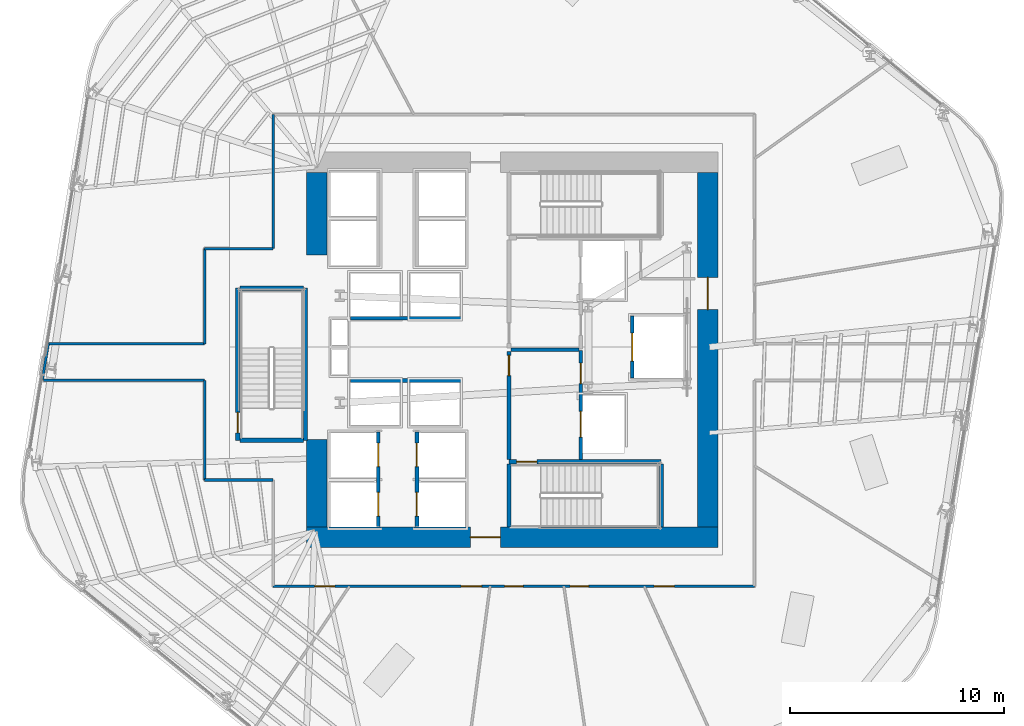
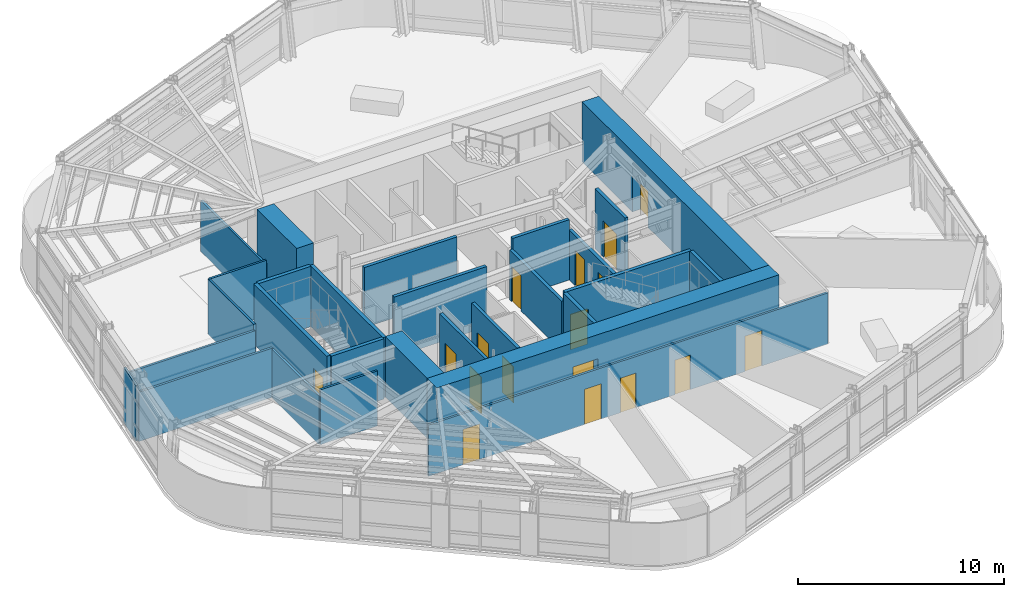
# One storey, part 9 of 18: 28 walls, 17 doors, 17 openings.
"""IFC4 building model written with IfcOpenShell, lengths in metres."""

from ifc_helpers import new_model, si_unit, direction, frame, frame_2d, origin, place, context, subcontext, project, spatial, rectangle, extrude, material, layer, layer_set, type_object, element, fill, save


model = new_model("IFC4")

# Units and contexts
model_context = context("Model", 3, precision=1e-05, world=origin(), true_north=direction((0.0, 1.0)))
body_context = subcontext(model_context, "Body", "Model", "MODEL_VIEW")
ifc_project = project(units=[si_unit("LENGTHUNIT", "METRE"), si_unit("AREAUNIT", "SQUARE_METRE"), si_unit("VOLUMEUNIT", "CUBIC_METRE"), si_unit("PLANEANGLEUNIT", "RADIAN"), si_unit("MASSUNIT", "GRAM", prefix="KILO")], contexts=[model_context])

# Site, building, storey
site_placement = place(None, origin())
site = spatial("IfcSite", under=ifc_project, at=site_placement, CompositionType="ELEMENT")
building_placement = place(site_placement, origin())
building = spatial("IfcBuilding", under=site, at=building_placement, Name="Valkerne Bourse Tower", CompositionType="ELEMENT")
storey_placement = place(building_placement, frame((0.0, 0.0, 112.39990234375)))
storey = spatial("IfcBuildingStorey", under=building, at=storey_placement, Name="L28", CompositionType="ELEMENT", Elevation=112.39990234375)

# Wall, opening, door
ifc_material_1 = material(Name="Concrete C70/85", Category="concrete")
ifc_layer_1 = layer(ifc_material_1, 0.949951171875)
ifc_layer_set_1 = layer_set([ifc_layer_1], Name="Concrete C70/85")
wall_type_1 = type_object("IfcWallType", Name="W-CORE-950", PredefinedType="SHEAR", material=ifc_layer_set_1)
wall_1_placement = place(storey_placement, frame((37.199951171875, 18.125, 0.0), z_axis=(0.0, 0.0, 1.0), x_axis=(1.0, 0.0, 0.0)))
wall_1 = element("IfcWall", 1, at=wall_1_placement, inside=storey, type_object=wall_type_1, Name="L28 Core Shear Wall SOUTH", PredefinedType="SHEAR", context=body_context, shape_type="SweptSolid", body=[
    extrude(rectangle(XDim=19.199951171875, YDim=0.949951171875, at=frame_2d((9.60009765625, 0.0))), origin(), (0.0, 0.0, 1.0), 3.580078125),
])
opening_1_placement = place(wall_1_placement, frame((7.64990234375, 0.0, 0.0)))
opening_1 = element("IfcOpeningElement", 2, at=opening_1_placement, cuts=wall_1, Name="Opening D-PL-1400", PredefinedType="OPENING", context=body_context, shape_type="SweptSolid", body=[
    extrude(rectangle(XDim=1.39990234375, YDim=2.14990234375, at=frame_2d((0.699951171875, 1.074951171875))), frame((0.0, 0.48486328125, 0.0), z_axis=(0.0, -1.0, 0.0), x_axis=(1.0, 0.0, 0.0)), (0.0, 0.0, 1.0), 0.969970703125),
])
ifc_material_2 = material(Name="Galvanised Painted Steel", Category="steel")
door_type_1 = type_object("IfcDoorType", Name="DR-PLT-1400", OperationType="DOUBLE_DOOR_SINGLE_SWING", PredefinedType="DOOR", material=ifc_material_2)
door_1_placement = place(opening_1_placement, origin())
door_1 = element("IfcDoor", 3, at=door_1_placement, inside=storey, type_object=door_type_1, Name="L28 South Passenger Lift Hall Fire Door", OperationType="DOUBLE_DOOR_SINGLE_SWING", OverallHeight=2.14990234375, OverallWidth=1.39990234375, PredefinedType="DOOR", context=body_context, shape_type="SweptSolid", body=[
    extrude(rectangle(XDim=1.39990234375, YDim=2.14990234375, at=frame_2d((0.699951171875, 1.074951171875))), frame((0.0, 0.02490234375, 0.0), z_axis=(0.0, -1.0, 0.0), x_axis=(1.0, 0.0, 0.0)), (0.0, 0.0, 1.0), 0.050048828125),
])
fill(opening_1, door_1)

wall_2_placement = place(storey_placement, frame((55.925048828125, 18.60009765625, 0.0), z_axis=(0.0, 0.0, 1.0), x_axis=(0.0, 1.0, 0.0)))
wall_2 = element("IfcWall", 4, at=wall_2_placement, inside=storey, type_object=wall_type_1, Name="L28 Core Shear Wall EAST", PredefinedType="SHEAR", context=body_context, shape_type="SweptSolid", body=[
    extrude(rectangle(XDim=16.5498046875, YDim=0.949951171875, at=frame_2d((8.27490234375, 0.0))), origin(), (0.0, 0.0, 1.0), 3.580078125),
])
opening_2_placement = place(wall_2_placement, frame((10.14990234375, 0.0, 0.0)))
opening_2 = element("IfcOpeningElement", 5, at=opening_2_placement, cuts=wall_2, Name="Opening D-CR-1500", PredefinedType="OPENING", context=body_context, shape_type="SweptSolid", body=[
    extrude(rectangle(XDim=1.5, YDim=2.14990234375, at=frame_2d((0.75, 1.074951171875))), frame((0.0, 0.48486328125, 0.0), z_axis=(0.0, -1.0, 0.0), x_axis=(1.0, 0.0, 0.0)), (0.0, 0.0, 1.0), 0.969970703125),
])
door_type_2 = type_object("IfcDoorType", Name="DR-CORR-1500", OperationType="DOUBLE_DOOR_SINGLE_SWING", PredefinedType="DOOR", material=ifc_material_2)
door_2_placement = place(opening_2_placement, origin())
door_2 = element("IfcDoor", 6, at=door_2_placement, inside=storey, type_object=door_type_2, Name="L28 East Core Service Lobby Fire Door", OperationType="DOUBLE_DOOR_SINGLE_SWING", OverallHeight=2.14990234375, OverallWidth=1.5, PredefinedType="DOOR", context=body_context, shape_type="SweptSolid", body=[
    extrude(rectangle(XDim=1.5, YDim=2.14990234375, at=frame_2d((0.75, 1.074951171875))), frame((0.0, 0.02490234375, 0.0), z_axis=(0.0, -1.0, 0.0), x_axis=(1.0, 0.0, 0.0)), (0.0, 0.0, 1.0), 0.050048828125),
])
fill(opening_2, door_2)

# Walls
wall_3_placement = place(storey_placement, frame((37.675048828125, 18.60009765625, 0.0), z_axis=(0.0, 0.0, 1.0), x_axis=(0.0, 1.0, 0.0)))
element("IfcWall", 7, at=wall_3_placement, inside=storey, type_object=wall_type_1, Name="L28 Core Shear Wall WEST-S", PredefinedType="SHEAR", context=body_context, shape_type="SweptSolid", body=[
    extrude(rectangle(XDim=4.099853515625, YDim=0.949951171875, at=frame_2d((2.0498046875, 0.0))), origin(), (0.0, 0.0, 1.0), 3.580078125),
])
wall_4_placement = place(storey_placement, frame((37.675048828125, 31.300048828125, 0.0), z_axis=(0.0, 0.0, 1.0), x_axis=(0.0, 1.0, 0.0)))
element("IfcWall", 8, at=wall_4_placement, inside=storey, type_object=wall_type_1, Name="L28 Core Shear Wall WEST-N", PredefinedType="SHEAR", context=body_context, shape_type="SweptSolid", body=[
    extrude(rectangle(XDim=3.849853515625, YDim=0.949951171875, at=frame_2d((1.9248046875, 0.0))), origin(), (0.0, 0.0, 1.0), 3.580078125),
])

# Wall, openings, doors
ifc_material_3 = material(Name="Gypsum Board Steel-Stud Partition", Category="steel")
ifc_layer_2 = layer(ifc_material_3, 0.117919921875)
ifc_layer_set_2 = layer_set([ifc_layer_2], Name="Gypsum Board Steel-Stud Partition")
wall_type_2 = type_object("IfcWallType", Name="W-CORR-140", PredefinedType="PARTITIONING", material=ifc_layer_set_2)
wall_5_placement = place(storey_placement, frame((58.10009765625, 15.85009765625, 0.0), z_axis=(0.0, 0.0, 1.0), x_axis=(-1.0, 0.0, 0.0)))
wall_5 = element("IfcWall", 9, at=wall_5_placement, inside=storey, type_object=wall_type_2, Name="L28 Corridor Enclosure Wall", PredefinedType="PARTITIONING", context=body_context, shape_type="SweptSolid", body=[
    extrude(rectangle(XDim=22.4501953125, YDim=0.117919921875, at=frame_2d((11.22509765625, 0.0))), origin(), (0.0, 0.0, 1.0), 3.03662109375),
])
opening_3_placement = place(wall_5_placement, frame((7.735107421875, 0.0, 0.0)))
opening_3 = element("IfcOpeningElement", 10, at=opening_3_placement, cuts=wall_5, Name="Opening D-WC-900", PredefinedType="OPENING", context=body_context, shape_type="SweptSolid", body=[
    extrude(rectangle(XDim=0.860107421875, YDim=2.050048828125, at=frame_2d((0.43017578125, 1.02490234375))), frame((0.0, 0.06884765625, 0.0), z_axis=(0.0, -1.0, 0.0), x_axis=(1.0, 0.0, 0.0)), (0.0, 0.0, 1.0), 0.137939453125),
])
opening_4_placement = place(wall_5_placement, frame((10.794921875, 0.0, 0.0)))
opening_4 = element("IfcOpeningElement", 11, at=opening_4_placement, cuts=wall_5, Name="Opening D-WC-900", PredefinedType="OPENING", context=body_context, shape_type="SweptSolid", body=[
    extrude(rectangle(XDim=0.860107421875, YDim=2.050048828125, at=frame_2d((0.43017578125, 1.02490234375))), frame((0.0, 0.06884765625, 0.0), z_axis=(0.0, -1.0, 0.0), x_axis=(1.0, 0.0, 0.0)), (0.0, 0.0, 1.0), 0.137939453125),
])
opening_5_placement = place(wall_5_placement, frame((12.72998046875, 0.0, 0.0)))
opening_5 = element("IfcOpeningElement", 12, at=opening_5_placement, cuts=wall_5, Name="Opening D-OF-950", PredefinedType="OPENING", context=body_context, shape_type="SweptSolid", body=[
    extrude(rectangle(XDim=0.949951171875, YDim=2.10009765625, at=frame_2d((0.47509765625, 1.050048828125))), frame((0.0, 0.06884765625, 0.0), z_axis=(0.0, -1.0, 0.0), x_axis=(1.0, 0.0, 0.0)), (0.0, 0.0, 1.0), 0.137939453125),
])
opening_6_placement = place(wall_5_placement, frame((3.72998046875, 0.0, 0.0)))
opening_6 = element("IfcOpeningElement", 13, at=opening_6_placement, cuts=wall_5, Name="Opening D-OF-950", PredefinedType="OPENING", context=body_context, shape_type="SweptSolid", body=[
    extrude(rectangle(XDim=0.949951171875, YDim=2.10009765625, at=frame_2d((0.47509765625, 1.050048828125))), frame((0.0, 0.06884765625, 0.0), z_axis=(0.0, -1.0, 0.0), x_axis=(1.0, 0.0, 0.0)), (0.0, 0.0, 1.0), 0.137939453125),
])
opening_7_placement = place(wall_5_placement, frame((19.570068359375, 0.0, 0.0)))
opening_7 = element("IfcOpeningElement", 14, at=opening_7_placement, cuts=wall_5, Name="Opening D-OF-950", PredefinedType="OPENING", context=body_context, shape_type="SweptSolid", body=[
    extrude(rectangle(XDim=0.949951171875, YDim=2.10009765625, at=frame_2d((0.47509765625, 1.050048828125))), frame((0.0, 0.06884765625, 0.0), z_axis=(0.0, -1.0, 0.0), x_axis=(1.0, 0.0, 0.0)), (0.0, 0.0, 1.0), 0.137939453125),
])
ifc_material_4 = material(Name="Architectural White Oak Timber", Category="wood")
door_type_3 = type_object("IfcDoorType", Name="DR-OFF-950", OperationType="NOTDEFINED", PredefinedType="DOOR", material=ifc_material_4)
door_3_placement = place(opening_5_placement, origin())
door_3 = element("IfcDoor", 15, at=door_3_placement, inside=storey, type_object=door_type_3, Name="L28 L28 Trading Desk Office 4 Door", OperationType="SINGLE_SWING_LEFT", OverallHeight=2.10009765625, OverallWidth=0.949951171875, PredefinedType="DOOR", context=body_context, shape_type="SweptSolid", body=[
    extrude(rectangle(XDim=0.949951171875, YDim=2.10009765625, at=frame_2d((0.47509765625, 1.050048828125))), frame((0.0, 0.02490234375, 0.0), z_axis=(0.0, -1.0, 0.0), x_axis=(1.0, 0.0, 0.0)), (0.0, 0.0, 1.0), 0.050048828125),
])
fill(opening_5, door_3)
door_4_placement = place(opening_6_placement, origin())
door_4 = element("IfcDoor", 16, at=door_4_placement, inside=storey, type_object=door_type_3, Name="L28 L28 Member Collaboration Club Salon 5 Door", OperationType="SINGLE_SWING_RIGHT", OverallHeight=2.10009765625, OverallWidth=0.949951171875, PredefinedType="DOOR", context=body_context, shape_type="SweptSolid", body=[
    extrude(rectangle(XDim=0.949951171875, YDim=2.10009765625, at=frame_2d((0.47509765625, 1.050048828125))), frame((0.0, 0.02490234375, 0.0), z_axis=(0.0, -1.0, 0.0), x_axis=(1.0, 0.0, 0.0)), (0.0, 0.0, 1.0), 0.050048828125),
])
fill(opening_6, door_4)
door_5_placement = place(opening_7_placement, origin())
door_5 = element("IfcDoor", 17, at=door_5_placement, inside=storey, type_object=door_type_3, Name="L28 L28 Hospitality Catering Kitchen 8 Door", OperationType="SINGLE_SWING_RIGHT", OverallHeight=2.10009765625, OverallWidth=0.949951171875, PredefinedType="DOOR", context=body_context, shape_type="SweptSolid", body=[
    extrude(rectangle(XDim=0.949951171875, YDim=2.10009765625, at=frame_2d((0.47509765625, 1.050048828125))), frame((0.0, 0.02490234375, 0.0), z_axis=(0.0, -1.0, 0.0), x_axis=(1.0, 0.0, 0.0)), (0.0, 0.0, 1.0), 0.050048828125),
])
fill(opening_7, door_5)
door_type_4 = type_object("IfcDoorType", Name="DR-WC-900", OperationType="NOTDEFINED", PredefinedType="DOOR", material=ifc_material_4)
door_6_placement = place(opening_3_placement, origin())
door_6 = element("IfcDoor", 18, at=door_6_placement, inside=storey, type_object=door_type_4, Name="L28 L28 Men Bathroom WC 1 Door", OperationType="SINGLE_SWING_LEFT", OverallHeight=2.050048828125, OverallWidth=0.860107421875, PredefinedType="DOOR", context=body_context, shape_type="SweptSolid", body=[
    extrude(rectangle(XDim=0.860107421875, YDim=2.050048828125, at=frame_2d((0.43017578125, 1.02490234375))), frame((0.0, 0.02490234375, 0.0), z_axis=(0.0, -1.0, 0.0), x_axis=(1.0, 0.0, 0.0)), (0.0, 0.0, 1.0), 0.050048828125),
])
fill(opening_3, door_6)
door_7_placement = place(opening_4_placement, origin())
door_7 = element("IfcDoor", 19, at=door_7_placement, inside=storey, type_object=door_type_4, Name="L28 L28 Women Restroom & Shower WC 2 Door", OperationType="SINGLE_SWING_LEFT", OverallHeight=2.050048828125, OverallWidth=0.860107421875, PredefinedType="DOOR", context=body_context, shape_type="SweptSolid", body=[
    extrude(rectangle(XDim=0.860107421875, YDim=2.050048828125, at=frame_2d((0.43017578125, 1.02490234375))), frame((0.0, 0.02490234375, 0.0), z_axis=(0.0, -1.0, 0.0), x_axis=(1.0, 0.0, 0.0)), (0.0, 0.0, 1.0), 0.050048828125),
])
fill(opening_4, door_7)

# Walls
wall_6_placement = place(storey_placement, frame((35.64990234375, 20.800048828125, 0.0), z_axis=(0.0, 0.0, 1.0), x_axis=(-1.0, 0.0, 0.0)))
element("IfcWall", 20, at=wall_6_placement, inside=storey, type_object=wall_type_2, Name="L28 Corridor Enclosure Wall", PredefinedType="PARTITIONING", context=body_context, shape_type="SweptSolid", body=[
    extrude(rectangle(XDim=3.199951171875, YDim=0.117919921875, at=frame_2d((1.60009765625, 0.0))), origin(), (0.0, 0.0, 1.0), 3.260009765625),
])
wall_7_placement = place(storey_placement, frame((32.449951171875, 20.800048828125, 0.0), z_axis=(0.0, 0.0, 1.0), x_axis=(0.0, 1.0, 0.0)))
element("IfcWall", 21, at=wall_7_placement, inside=storey, type_object=wall_type_2, Name="L28 Corridor Enclosure Wall", PredefinedType="PARTITIONING", context=body_context, shape_type="SweptSolid", body=[
    extrude(rectangle(XDim=4.64990234375, YDim=0.117919921875, at=frame_2d((2.324951171875, 0.0))), origin(), (0.0, 0.0, 1.0), 2.876708984375),
])
wall_8_placement = place(storey_placement, frame((32.449951171875, 25.449951171875, 0.0), z_axis=(0.0, 0.0, 1.0), x_axis=(-1.0, 0.0, 0.0)))
element("IfcWall", 22, at=wall_8_placement, inside=storey, type_object=wall_type_2, Name="L28 Corridor Enclosure Wall", PredefinedType="PARTITIONING", context=body_context, shape_type="SweptSolid", body=[
    extrude(rectangle(XDim=7.52978515625, YDim=0.117919921875, at=frame_2d((3.764892578125, 0.0))), origin(), (0.0, 0.0, 1.0), 2.922607421875),
])
wall_9_placement = place(storey_placement, frame((24.882568359375, 25.494384765625, 0.0), z_axis=(0.0, 0.0, 1.0), x_axis=(0.162676254431, 0.986679500266, 0.0)))
element("IfcWall", 23, at=wall_9_placement, inside=storey, type_object=wall_type_2, Name="L28 Corridor Enclosure Wall", PredefinedType="PARTITIONING", context=body_context, shape_type="SweptSolid", body=[
    extrude(rectangle(XDim=1.677978515625, YDim=0.117919921875, at=frame_2d((0.8388671875, 0.0))), origin(), (0.0, 0.0, 1.0), 3.280029296875),
])
wall_10_placement = place(storey_placement, frame((25.155517578125, 27.14990234375, 0.0), z_axis=(0.0, 0.0, 1.0), x_axis=(1.0, 0.0, 0.0)))
element("IfcWall", 24, at=wall_10_placement, inside=storey, type_object=wall_type_2, Name="L28 Corridor Enclosure Wall", PredefinedType="PARTITIONING", context=body_context, shape_type="SweptSolid", body=[
    extrude(rectangle(XDim=7.29443359375, YDim=0.117919921875, at=frame_2d((3.647216796875, 0.0))), origin(), (0.0, 0.0, 1.0), 2.922607421875),
])
wall_11_placement = place(storey_placement, frame((32.449951171875, 27.14990234375, 0.0), z_axis=(0.0, 0.0, 1.0), x_axis=(0.0, 1.0, 0.0)))
element("IfcWall", 25, at=wall_11_placement, inside=storey, type_object=wall_type_2, Name="L28 Corridor Enclosure Wall", PredefinedType="PARTITIONING", context=body_context, shape_type="SweptSolid", body=[
    extrude(rectangle(XDim=4.4501953125, YDim=0.117919921875, at=frame_2d((2.22509765625, 0.0))), origin(), (0.0, 0.0, 1.0), 3.280029296875),
])
wall_12_placement = place(storey_placement, frame((32.449951171875, 31.60009765625, 0.0), z_axis=(0.0, 0.0, 1.0), x_axis=(1.0, 0.0, 0.0)))
element("IfcWall", 26, at=wall_12_placement, inside=storey, type_object=wall_type_2, Name="L28 Corridor Enclosure Wall", PredefinedType="PARTITIONING", context=body_context, shape_type="SweptSolid", body=[
    extrude(rectangle(XDim=3.199951171875, YDim=0.117919921875, at=frame_2d((1.60009765625, 0.0))), origin(), (0.0, 0.0, 1.0), 3.280029296875),
])
wall_13_placement = place(storey_placement, frame((35.64990234375, 31.60009765625, 0.0), z_axis=(0.0, 0.0, 1.0), x_axis=(0.0, 1.0, 0.0)))
element("IfcWall", 27, at=wall_13_placement, inside=storey, type_object=wall_type_2, Name="L28 Corridor Enclosure Wall", PredefinedType="PARTITIONING", context=body_context, shape_type="SweptSolid", body=[
    extrude(rectangle(XDim=6.25, YDim=0.117919921875, at=frame_2d((3.125, 0.0))), origin(), (0.0, 0.0, 1.0), 3.03662109375),
])
ifc_material_5 = material(Name="Gypsum Fire-Rated Shaftwall", Category="gypsum")
ifc_layer_3 = layer(ifc_material_5, 0.179931640625)
ifc_layer_set_3 = layer_set([ifc_layer_3], Name="Gypsum Fire-Rated Shaftwall")
wall_type_3 = type_object("IfcWallType", Name="W-FSAE-180", PredefinedType="PARTITIONING", material=ifc_layer_set_3)
wall_14_placement = place(storey_placement, frame((46.739990234375, 26.8798828125, 0.0), z_axis=(0.0, 0.0, 1.0), x_axis=(1.0, 0.0, 0.0)))
element("IfcWall", 28, at=wall_14_placement, inside=storey, type_object=wall_type_3, Name="L28 FSAE-1/2 Lobby Dividing Fire Wall", PredefinedType="PARTITIONING", context=body_context, shape_type="SweptSolid", body=[
    extrude(rectangle(XDim=3.169921875, YDim=0.179931640625, at=frame_2d((1.5849609375, 0.0))), origin(), (0.0, 0.0, 1.0), 3.580078125),
])

# Wall, opening, door
wall_15_placement = place(storey_placement, frame((46.64990234375, 21.75, 0.0), z_axis=(0.0, 0.0, 1.0), x_axis=(0.0, 1.0, 0.0)))
wall_15 = element("IfcWall", 29, at=wall_15_placement, inside=storey, type_object=wall_type_3, Name="L28 FSAE-1 Lobby West Fire Wall", PredefinedType="PARTITIONING", context=body_context, shape_type="SweptSolid", body=[
    extrude(rectangle(XDim=5.050048828125, YDim=0.179931640625, at=frame_2d((2.52490234375, 0.0))), origin(), (0.0, 0.0, 1.0), 2.9580078125),
])
opening_8_placement = place(wall_15_placement, frame((3.919921875, 0.0, 0.0)))
opening_8 = element("IfcOpeningElement", 30, at=opening_8_placement, cuts=wall_15, Name="Opening D-FS-950", PredefinedType="OPENING", context=body_context, shape_type="SweptSolid", body=[
    extrude(rectangle(XDim=0.949951171875, YDim=2.10009765625, at=frame_2d((0.47509765625, 1.050048828125))), frame((0.0, 0.099853515625, 0.0), z_axis=(0.0, -1.0, 0.0), x_axis=(1.0, 0.0, 0.0)), (0.0, 0.0, 1.0), 0.199951171875),
])
door_type_5 = type_object("IfcDoorType", Name="DR-FSAE-950", OperationType="NOTDEFINED", PredefinedType="DOOR", material=ifc_material_2)
door_8_placement = place(opening_8_placement, origin())
door_8 = element("IfcDoor", 31, at=door_8_placement, inside=storey, type_object=door_type_5, Name="L28 FSAE-1 Hall Link Fire Door", OperationType="SINGLE_SWING_RIGHT", OverallHeight=2.10009765625, OverallWidth=0.949951171875, PredefinedType="DOOR", context=body_context, shape_type="SweptSolid", body=[
    extrude(rectangle(XDim=0.949951171875, YDim=2.10009765625, at=frame_2d((0.47509765625, 1.050048828125))), frame((0.0, 0.02490234375, 0.0), z_axis=(0.0, -1.0, 0.0), x_axis=(1.0, 0.0, 0.0)), (0.0, 0.0, 1.0), 0.050048828125),
])
fill(opening_8, door_8)

# Wall, openings, doors
wall_16_placement = place(storey_placement, frame((50.0, 21.75, 0.0), z_axis=(0.0, 0.0, 1.0), x_axis=(0.0, 1.0, 0.0)))
wall_16 = element("IfcWall", 32, at=wall_16_placement, inside=storey, type_object=wall_type_3, Name="L28 FSAE-1 Lobby & Shaft Front Wall", PredefinedType="PARTITIONING", context=body_context, shape_type="SweptSolid", body=[
    extrude(rectangle(XDim=5.090087890625, YDim=0.179931640625, at=frame_2d((2.544921875, 0.0))), origin(), (0.0, 0.0, 1.0), 2.9580078125),
])
opening_9_placement = place(wall_16_placement, frame((1.050048828125, 0.0, 0.0)))
opening_9 = element("IfcOpeningElement", 33, at=opening_9_placement, cuts=wall_16, Name="Opening LD-1200", PredefinedType="OPENING", context=body_context, shape_type="SweptSolid", body=[
    extrude(rectangle(XDim=1.199951171875, YDim=2.14990234375, at=frame_2d((0.60009765625, 1.074951171875))), frame((0.0, 0.099853515625, 0.0), z_axis=(0.0, -1.0, 0.0), x_axis=(1.0, 0.0, 0.0)), (0.0, 0.0, 1.0), 0.199951171875),
])
opening_10_placement = place(wall_16_placement, frame((3.550048828125, 0.0, 0.0)))
opening_10 = element("IfcOpeningElement", 34, at=opening_10_placement, cuts=wall_16, Name="Opening D-FS-950", PredefinedType="OPENING", context=body_context, shape_type="SweptSolid", body=[
    extrude(rectangle(XDim=0.949951171875, YDim=2.10009765625, at=frame_2d((0.47509765625, 1.050048828125))), frame((0.0, 0.099853515625, 0.0), z_axis=(0.0, -1.0, 0.0), x_axis=(1.0, 0.0, 0.0)), (0.0, 0.0, 1.0), 0.199951171875),
])
door_9_placement = place(opening_10_placement, origin())
door_9 = element("IfcDoor", 35, at=door_9_placement, inside=storey, type_object=door_type_5, Name="L28 FSAE-1 Lobby Corridor Fire Door", OperationType="SINGLE_SWING_LEFT", OverallHeight=2.10009765625, OverallWidth=0.949951171875, PredefinedType="DOOR", context=body_context, shape_type="SweptSolid", body=[
    extrude(rectangle(XDim=0.949951171875, YDim=2.10009765625, at=frame_2d((0.47509765625, 1.050048828125))), frame((0.0, 0.02490234375, 0.0), z_axis=(0.0, -1.0, 0.0), x_axis=(1.0, 0.0, 0.0)), (0.0, 0.0, 1.0), 0.050048828125),
])
fill(opening_10, door_9)
ifc_material_6 = material(Name="Stainless Steel AISI 316", Category="steel")
door_type_6 = type_object("IfcDoorType", Name="DR-LIFT-1200", OperationType="DOUBLE_DOOR_SLIDING", PredefinedType="DOOR", material=ifc_material_6)
door_10_placement = place(opening_9_placement, origin())
door_10 = element("IfcDoor", 36, at=door_10_placement, inside=storey, type_object=door_type_6, Name="L28 FSAE-1 Firefighting Lift Landing Door", OperationType="DOUBLE_DOOR_SLIDING", OverallHeight=2.14990234375, OverallWidth=1.199951171875, PredefinedType="DOOR", context=body_context, shape_type="SweptSolid", body=[
    extrude(rectangle(XDim=1.199951171875, YDim=2.14990234375, at=frame_2d((0.60009765625, 1.074951171875))), frame((0.0, 0.02490234375, 0.0), z_axis=(0.0, -1.0, 0.0), x_axis=(1.0, 0.0, 0.0)), (0.0, 0.0, 1.0), 0.050048828125),
])
fill(opening_9, door_10)

# Wall, opening, door
ifc_material_7 = material(Name="CMU Blockwork Masonry 200mm", Category="masonry")
ifc_layer_4 = layer(ifc_material_7, 0.179931640625)
ifc_layer_set_4 = layer_set([ifc_layer_4], Name="CMU Blockwork Masonry 200mm")
wall_type_4 = type_object("IfcWallType", Name="W-LFT-180", PredefinedType="SOLIDWALL", material=ifc_layer_set_4)
wall_17_placement = place(storey_placement, frame((52.39990234375, 25.550048828125, 0.0), z_axis=(0.0, 0.0, 1.0), x_axis=(0.0, 1.0, 0.0)))
wall_17 = element("IfcWall", 37, at=wall_17_placement, inside=storey, type_object=wall_type_4, Name="L28 Service Lift SV-1 Front Wall", PredefinedType="SOLIDWALL", context=body_context, shape_type="SweptSolid", body=[
    extrude(rectangle(XDim=2.89990234375, YDim=0.179931640625, at=frame_2d((1.449951171875, 0.0))), origin(), (0.0, 0.0, 1.0), 3.580078125),
])
opening_11_placement = place(wall_17_placement, frame((0.800048828125, 0.0, 0.0)))
opening_11 = element("IfcOpeningElement", 38, at=opening_11_placement, cuts=wall_17, Name="Opening LD-1300", PredefinedType="OPENING", context=body_context, shape_type="SweptSolid", body=[
    extrude(rectangle(XDim=1.300048828125, YDim=2.14990234375, at=frame_2d((0.64990234375, 1.074951171875))), frame((0.0, 0.099853515625, 0.0), z_axis=(0.0, -1.0, 0.0), x_axis=(1.0, 0.0, 0.0)), (0.0, 0.0, 1.0), 0.199951171875),
])
door_type_7 = type_object("IfcDoorType", Name="DR-LIFT-1300", OperationType="DOUBLE_DOOR_SLIDING", PredefinedType="DOOR", material=ifc_material_6)
door_11_placement = place(opening_11_placement, origin())
door_11 = element("IfcDoor", 39, at=door_11_placement, inside=storey, type_object=door_type_7, Name="L28 Service Lift SV-1 Landing Door", OperationType="DOUBLE_DOOR_SLIDING", OverallHeight=2.14990234375, OverallWidth=1.300048828125, PredefinedType="DOOR", context=body_context, shape_type="SweptSolid", body=[
    extrude(rectangle(XDim=1.300048828125, YDim=2.14990234375, at=frame_2d((0.64990234375, 1.074951171875))), frame((0.0, 0.02490234375, 0.0), z_axis=(0.0, -1.0, 0.0), x_axis=(1.0, 0.0, 0.0)), (0.0, 0.0, 1.0), 0.050048828125),
])
fill(opening_11, door_11)

# Wall, openings, doors
wall_18_placement = place(storey_placement, frame((40.550048828125, 18.6201171875, 0.0), z_axis=(0.0, 0.0, 1.0), x_axis=(0.0, 1.0, 0.0)))
wall_18 = element("IfcWall", 40, at=wall_18_placement, inside=storey, type_object=wall_type_4, Name="L28 Low-Zone West Cars Front Wall", PredefinedType="SOLIDWALL", context=body_context, shape_type="SweptSolid", body=[
    extrude(rectangle(XDim=4.429931640625, YDim=0.179931640625, at=frame_2d((2.21484375, 0.0))), origin(), (0.0, 0.0, 1.0), 3.580078125),
])
opening_12_placement = place(wall_18_placement, frame((0.5, 0.0, 0.0)))
opening_12 = element("IfcOpeningElement", 41, at=opening_12_placement, cuts=wall_18, Name="Opening LD-1100", PredefinedType="OPENING", context=body_context, shape_type="SweptSolid", body=[
    extrude(rectangle(XDim=1.10009765625, YDim=2.14990234375, at=frame_2d((0.550048828125, 1.074951171875))), frame((0.0, 0.099853515625, 0.0), z_axis=(0.0, -1.0, 0.0), x_axis=(1.0, 0.0, 0.0)), (0.0, 0.0, 1.0), 0.199951171875),
])
opening_13_placement = place(wall_18_placement, frame((2.800048828125, 0.0, 0.0)))
opening_13 = element("IfcOpeningElement", 42, at=opening_13_placement, cuts=wall_18, Name="Opening LD-1100", PredefinedType="OPENING", context=body_context, shape_type="SweptSolid", body=[
    extrude(rectangle(XDim=1.10009765625, YDim=2.14990234375, at=frame_2d((0.550048828125, 1.074951171875))), frame((0.0, 0.099853515625, 0.0), z_axis=(0.0, -1.0, 0.0), x_axis=(1.0, 0.0, 0.0)), (0.0, 0.0, 1.0), 0.199951171875),
])
door_type_8 = type_object("IfcDoorType", Name="DR-LIFT-1100", OperationType="DOUBLE_DOOR_SLIDING", PredefinedType="DOOR", material=ifc_material_6)
door_12_placement = place(opening_12_placement, origin())
door_12 = element("IfcDoor", 43, at=door_12_placement, inside=storey, type_object=door_type_8, Name="L28 Passenger Lift PL-L1 Sliding Landing Door", OperationType="DOUBLE_DOOR_SLIDING", OverallHeight=2.14990234375, OverallWidth=1.10009765625, PredefinedType="DOOR", context=body_context, shape_type="SweptSolid", body=[
    extrude(rectangle(XDim=1.10009765625, YDim=2.14990234375, at=frame_2d((0.550048828125, 1.074951171875))), frame((0.0, 0.02490234375, 0.0), z_axis=(0.0, -1.0, 0.0), x_axis=(1.0, 0.0, 0.0)), (0.0, 0.0, 1.0), 0.050048828125),
])
fill(opening_12, door_12)
door_13_placement = place(opening_13_placement, origin())
door_13 = element("IfcDoor", 44, at=door_13_placement, inside=storey, type_object=door_type_8, Name="L28 Passenger Lift PL-L2 Sliding Landing Door", OperationType="DOUBLE_DOOR_SLIDING", OverallHeight=2.14990234375, OverallWidth=1.10009765625, PredefinedType="DOOR", context=body_context, shape_type="SweptSolid", body=[
    extrude(rectangle(XDim=1.10009765625, YDim=2.14990234375, at=frame_2d((0.550048828125, 1.074951171875))), frame((0.0, 0.02490234375, 0.0), z_axis=(0.0, -1.0, 0.0), x_axis=(1.0, 0.0, 0.0)), (0.0, 0.0, 1.0), 0.050048828125),
])
fill(opening_13, door_13)

wall_19_placement = place(storey_placement, frame((42.35009765625, 18.6201171875, 0.0), z_axis=(0.0, 0.0, 1.0), x_axis=(0.0, 1.0, 0.0)))
wall_19 = element("IfcWall", 45, at=wall_19_placement, inside=storey, type_object=wall_type_4, Name="L28 Low-Zone East Cars Front Wall", PredefinedType="SOLIDWALL", context=body_context, shape_type="SweptSolid", body=[
    extrude(rectangle(XDim=4.429931640625, YDim=0.179931640625, at=frame_2d((2.21484375, 0.0))), origin(), (0.0, 0.0, 1.0), 3.580078125),
])
opening_14_placement = place(wall_19_placement, frame((0.5, 0.0, 0.0)))
opening_14 = element("IfcOpeningElement", 46, at=opening_14_placement, cuts=wall_19, Name="Opening LD-1100", PredefinedType="OPENING", context=body_context, shape_type="SweptSolid", body=[
    extrude(rectangle(XDim=1.10009765625, YDim=2.14990234375, at=frame_2d((0.550048828125, 1.074951171875))), frame((0.0, 0.099853515625, 0.0), z_axis=(0.0, -1.0, 0.0), x_axis=(1.0, 0.0, 0.0)), (0.0, 0.0, 1.0), 0.199951171875),
])
opening_15_placement = place(wall_19_placement, frame((2.800048828125, 0.0, 0.0)))
opening_15 = element("IfcOpeningElement", 47, at=opening_15_placement, cuts=wall_19, Name="Opening LD-1100", PredefinedType="OPENING", context=body_context, shape_type="SweptSolid", body=[
    extrude(rectangle(XDim=1.10009765625, YDim=2.14990234375, at=frame_2d((0.550048828125, 1.074951171875))), frame((0.0, 0.099853515625, 0.0), z_axis=(0.0, -1.0, 0.0), x_axis=(1.0, 0.0, 0.0)), (0.0, 0.0, 1.0), 0.199951171875),
])
door_14_placement = place(opening_14_placement, origin())
door_14 = element("IfcDoor", 48, at=door_14_placement, inside=storey, type_object=door_type_8, Name="L28 Passenger Lift PL-L3 Sliding Landing Door", OperationType="DOUBLE_DOOR_SLIDING", OverallHeight=2.14990234375, OverallWidth=1.10009765625, PredefinedType="DOOR", context=body_context, shape_type="SweptSolid", body=[
    extrude(rectangle(XDim=1.10009765625, YDim=2.14990234375, at=frame_2d((0.550048828125, 1.074951171875))), frame((0.0, 0.02490234375, 0.0), z_axis=(0.0, -1.0, 0.0), x_axis=(1.0, 0.0, 0.0)), (0.0, 0.0, 1.0), 0.050048828125),
])
fill(opening_14, door_14)
door_15_placement = place(opening_15_placement, origin())
door_15 = element("IfcDoor", 49, at=door_15_placement, inside=storey, type_object=door_type_8, Name="L28 Passenger Lift PL-L4 Sliding Landing Door", OperationType="DOUBLE_DOOR_SLIDING", OverallHeight=2.14990234375, OverallWidth=1.10009765625, PredefinedType="DOOR", context=body_context, shape_type="SweptSolid", body=[
    extrude(rectangle(XDim=1.10009765625, YDim=2.14990234375, at=frame_2d((0.550048828125, 1.074951171875))), frame((0.0, 0.02490234375, 0.0), z_axis=(0.0, -1.0, 0.0), x_axis=(1.0, 0.0, 0.0)), (0.0, 0.0, 1.0), 0.050048828125),
])
fill(opening_15, door_15)

# Walls
for number, where, z_axis, x_axis, name in (
    (50, (39.25, 25.449951171875, 0.0), (0.0, 0.0, 1.0), (1.0, 0.0, 0.0), "L28 High-Zone South Cars Front Wall"),
    (51, (39.25, 28.35009765625, 0.0), (0.0, 0.0, 1.0), (1.0, 0.0, 0.0), "L28 High-Zone North Cars Front Wall"),
):
    element("IfcWall", number, at=place(storey_placement, frame(where, z_axis=z_axis, x_axis=x_axis)), inside=storey, type_object=wall_type_4, Name=name, PredefinedType="SOLIDWALL", context=body_context, shape_type="SweptSolid", body=[
        extrude(rectangle(XDim=5.199951171875, YDim=0.179931640625, at=frame_2d((2.60009765625, 0.0))), origin(), (0.0, 0.0, 1.0), 3.580078125),
    ])

# Wall, opening, door
ifc_material_8 = material(Name="Concrete C40/50", Category="concrete")
ifc_layer_5 = layer(ifc_material_8, 0.199951171875)
ifc_layer_set_5 = layer_set([ifc_layer_5], Name="Concrete C40/50")
wall_type_5 = type_object("IfcWallType", Name="W-SHF-200", PredefinedType="SHEAR", material=ifc_layer_set_5)
wall_20_placement = place(storey_placement, frame((46.64990234375, 21.64990234375, 0.0), z_axis=(0.0, 0.0, 1.0), x_axis=(1.0, 0.0, 0.0)))
wall_20 = element("IfcWall", 52, at=wall_20_placement, inside=storey, type_object=wall_type_5, Name="L28 Exit Stair ST-1 Structural Shaft Wall North", PredefinedType="SHEAR", context=body_context, shape_type="SweptSolid", body=[
    extrude(rectangle(XDim=7.10009765625, YDim=0.199951171875, at=frame_2d((3.550048828125, 0.0))), origin(), (0.0, 0.0, 1.0), 3.580078125),
])
opening_16_placement = place(wall_20_placement, frame((0.35009765625, 0.0, 0.0)))
opening_16 = element("IfcOpeningElement", 53, at=opening_16_placement, cuts=wall_20, Name="Opening D-ST-950", PredefinedType="OPENING", context=body_context, shape_type="SweptSolid", body=[
    extrude(rectangle(XDim=0.949951171875, YDim=2.10009765625, at=frame_2d((0.47509765625, 1.050048828125))), frame((0.0, 0.10986328125, 0.0), z_axis=(0.0, -1.0, 0.0), x_axis=(1.0, 0.0, 0.0)), (0.0, 0.0, 1.0), 0.219970703125),
])
door_type_9 = type_object("IfcDoorType", Name="DR-STAIR-950", OperationType="NOTDEFINED", PredefinedType="DOOR", material=ifc_material_2)
door_16_placement = place(opening_16_placement, origin())
door_16 = element("IfcDoor", 54, at=door_16_placement, inside=storey, type_object=door_type_9, Name="L28 Exit Stair ST-1 Door", OperationType="SINGLE_SWING_RIGHT", OverallHeight=2.10009765625, OverallWidth=0.949951171875, PredefinedType="DOOR", context=body_context, shape_type="SweptSolid", body=[
    extrude(rectangle(XDim=0.949951171875, YDim=2.10009765625, at=frame_2d((0.47509765625, 1.050048828125))), frame((0.0, 0.02490234375, 0.0), z_axis=(0.0, -1.0, 0.0), x_axis=(1.0, 0.0, 0.0)), (0.0, 0.0, 1.0), 0.050048828125),
])
fill(opening_16, door_16)

# Walls
for number, where, z_axis, x_axis, name in (
    (55, (46.64990234375, 18.60009765625, 0.0), (0.0, 0.0, 1.0), (0.0, 1.0, 0.0), "L28 Exit Stair ST-1 Structural Shaft Wall West"),
    (56, (53.75, 18.60009765625, 0.0), (0.0, 0.0, 1.0), (0.0, 1.0, 0.0), "L28 Exit Stair ST-1 Structural Shaft Wall East"),
):
    element("IfcWall", number, at=place(storey_placement, frame(where, z_axis=z_axis, x_axis=x_axis)), inside=storey, type_object=wall_type_5, Name=name, PredefinedType="SHEAR", context=body_context, shape_type="SweptSolid", body=[
        extrude(rectangle(XDim=2.949951171875, YDim=0.199951171875, at=frame_2d((1.47509765625, 0.0))), origin(), (0.0, 0.0, 1.0), 3.580078125),
    ])

# Wall, opening, door
wall_21_placement = place(storey_placement, frame((34.0, 22.64990234375, 0.0), z_axis=(0.0, 0.0, 1.0), x_axis=(0.0, 1.0, 0.0)))
wall_21 = element("IfcWall", 57, at=wall_21_placement, inside=storey, type_object=wall_type_5, Name="L28 Exit Stair ST-3 Structural Shaft Wall West", PredefinedType="SHEAR", context=body_context, shape_type="SweptSolid", body=[
    extrude(rectangle(XDim=7.10009765625, YDim=0.199951171875, at=frame_2d((3.550048828125, 0.0))), origin(), (0.0, 0.0, 1.0), 3.580078125),
])
opening_17_placement = place(wall_21_placement, frame((0.35009765625, 0.0, 0.0)))
opening_17 = element("IfcOpeningElement", 58, at=opening_17_placement, cuts=wall_21, Name="Opening D-ST-950", PredefinedType="OPENING", context=body_context, shape_type="SweptSolid", body=[
    extrude(rectangle(XDim=0.949951171875, YDim=2.10009765625, at=frame_2d((0.47509765625, 1.050048828125))), frame((0.0, 0.10986328125, 0.0), z_axis=(0.0, -1.0, 0.0), x_axis=(1.0, 0.0, 0.0)), (0.0, 0.0, 1.0), 0.219970703125),
])
door_17_placement = place(opening_17_placement, origin())
door_17 = element("IfcDoor", 59, at=door_17_placement, inside=storey, type_object=door_type_9, Name="L28 Exit Stair ST-3 Door", OperationType="SINGLE_SWING_RIGHT", OverallHeight=2.10009765625, OverallWidth=0.949951171875, PredefinedType="DOOR", context=body_context, shape_type="SweptSolid", body=[
    extrude(rectangle(XDim=0.949951171875, YDim=2.10009765625, at=frame_2d((0.47509765625, 1.050048828125))), frame((0.0, 0.02490234375, 0.0), z_axis=(0.0, -1.0, 0.0), x_axis=(1.0, 0.0, 0.0)), (0.0, 0.0, 1.0), 0.050048828125),
])
fill(opening_17, door_17)

# Walls
for number, where, z_axis, x_axis, name in (
    (60, (34.10009765625, 22.64990234375, 0.0), (0.0, 0.0, 1.0), (1.0, 0.0, 0.0), "L28 Exit Stair ST-3 Structural Shaft Wall South"),
    (61, (34.10009765625, 29.75, 0.0), (0.0, 0.0, 1.0), (1.0, 0.0, 0.0), "L28 Exit Stair ST-3 Structural Shaft Wall North"),
):
    element("IfcWall", number, at=place(storey_placement, frame(where, z_axis=z_axis, x_axis=x_axis)), inside=storey, type_object=wall_type_5, Name=name, PredefinedType="SHEAR", context=body_context, shape_type="SweptSolid", body=[
        extrude(rectangle(XDim=2.949951171875, YDim=0.199951171875, at=frame_2d((1.47509765625, 0.0))), origin(), (0.0, 0.0, 1.0), 3.580078125),
    ])
wall_22_placement = place(storey_placement, frame((37.14990234375, 22.64990234375, 0.0), z_axis=(0.0, 0.0, 1.0), x_axis=(0.0, 1.0, 0.0)))
element("IfcWall", 62, at=wall_22_placement, inside=storey, type_object=wall_type_5, Name="L28 Exit Stair ST-3 Structural Shaft Wall East", PredefinedType="SHEAR", context=body_context, shape_type="SweptSolid", body=[
    extrude(rectangle(XDim=7.10009765625, YDim=0.199951171875, at=frame_2d((3.550048828125, 0.0))), origin(), (0.0, 0.0, 1.0), 3.580078125),
])

save(model, "model.ifc")
